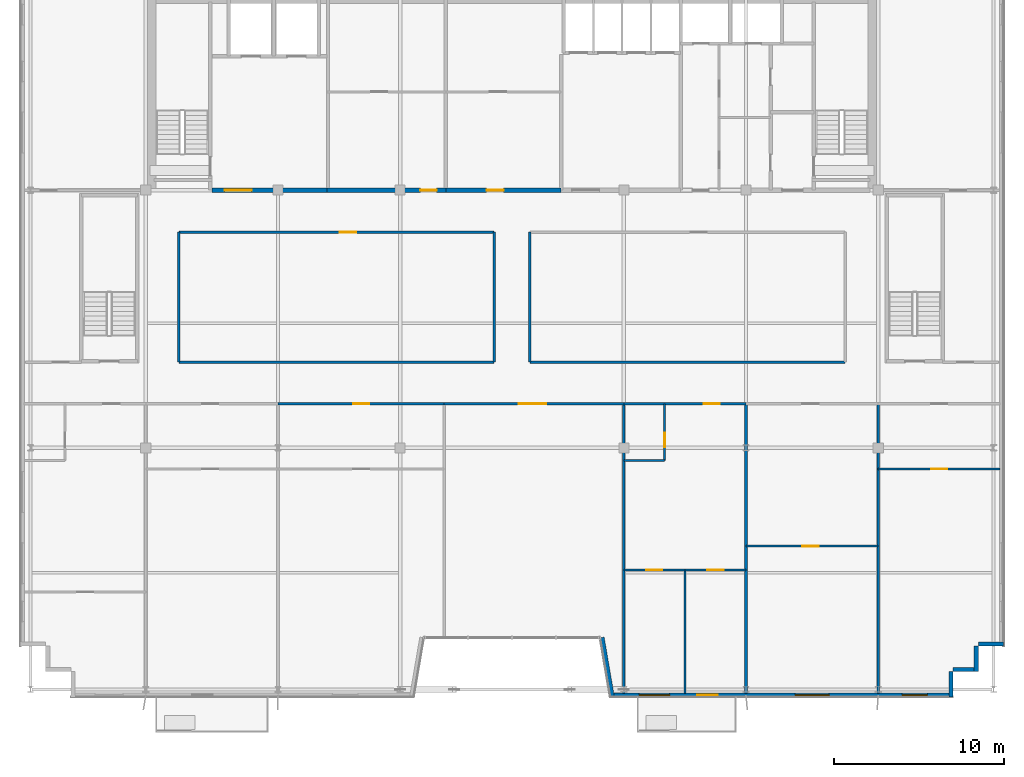
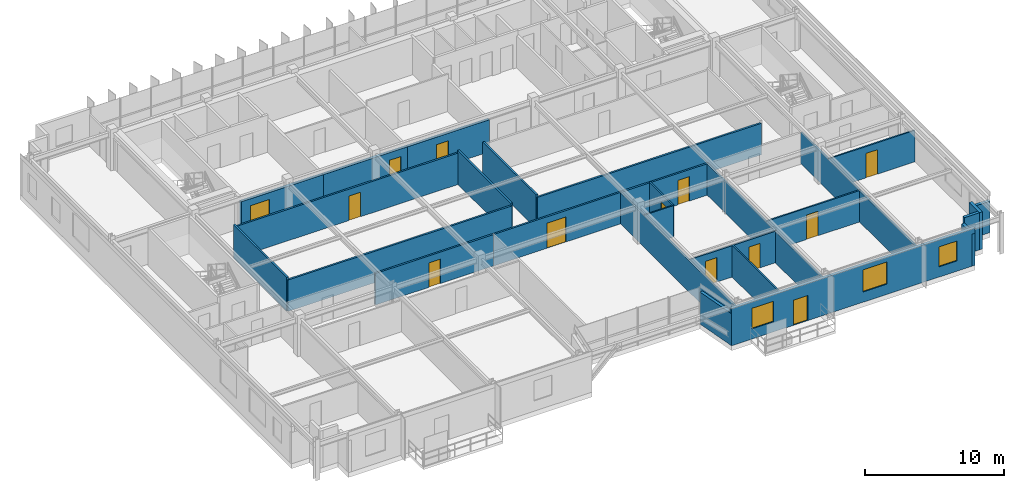
# One storey, part 22 of 28: 28 walls, 13 doors, 3 windows, 16 openings.
"""IFC4 building model written with IfcOpenShell, lengths in metres."""

from ifc_helpers import new_model, si_unit, direction, frame, frame_2d, origin, place, context, subcontext, project, spatial, rectangle, extrude, source, transform, mapped, material, layer, layer_set, type_object, element, fill, save


model = new_model("IFC4")

# Units and contexts
model_context = context("Model", 3, precision=1e-05, world=origin(), true_north=direction((0.0, 1.0)))
body_context = subcontext(model_context, "Body", "Model", "MODEL_VIEW")
ifc_project = project(units=[si_unit("LENGTHUNIT", "METRE"), si_unit("AREAUNIT", "SQUARE_METRE"), si_unit("VOLUMEUNIT", "CUBIC_METRE"), si_unit("PLANEANGLEUNIT", "RADIAN"), si_unit("MASSUNIT", "GRAM", prefix="KILO")], contexts=[model_context])

# Site, building, storey
site_placement = place(None, origin())
site = spatial("IfcSite", under=ifc_project, at=site_placement, CompositionType="ELEMENT")
building_placement = place(site_placement, origin())
building = spatial("IfcBuilding", under=site, at=building_placement, Name="Trelvane Seafront Commons", CompositionType="ELEMENT")
storey_placement = place(building_placement, frame((0.0, 0.0, 295.5)))
storey = spatial("IfcBuildingStorey", under=building, at=storey_placement, Name="L77", CompositionType="ELEMENT", Elevation=295.5)

# Walls
ifc_material_1 = material(Name="Precast concrete C40/50", Category="concrete")
ifc_layer_1 = layer(ifc_material_1, 0.239990234375, Name="ARCH-WALL-EXT240")
ifc_layer_set_1 = layer_set([ifc_layer_1], Name="Precast concrete C40/50")
wall_type_1 = type_object("IfcWallType", Name="ARCH-WALL-EXT240", PredefinedType="SOLIDWALL", material=ifc_layer_set_1)
wall_1_placement = place(storey_placement, frame((66.199951171875, 6.6201171875, 0.0), z_axis=(0.0, 0.0, 1.0), x_axis=(-1.0, 0.0, 0.0)))
element("IfcWall", 1, at=wall_1_placement, inside=storey, type_object=wall_type_1, Name="EW-L77-01572", PredefinedType="SOLIDWALL", context=body_context, shape_type="SweptSolid", body=[
    extrude(rectangle(XDim=1.5, YDim=0.239990234375, at=frame_2d((0.75, 0.0))), origin(), (0.0, 0.0, 1.0), 2.760009765625),
])
for number, where, z_axis, x_axis, name in (
    (2, (64.580078125, 6.5, 0.0), (0.0, 0.0, 1.0), (0.0, -1.0, 0.0), "EW-L77-01573"),
    (3, (64.699951171875, 5.1201171875, 0.0), (0.0, 0.0, 1.0), (-1.0, 0.0, 0.0), "EW-L77-01574"),
):
    element("IfcWall", number, at=place(storey_placement, frame(where, z_axis=z_axis, x_axis=x_axis)), inside=storey, type_object=wall_type_1, Name=name, PredefinedType="SOLIDWALL", context=body_context, shape_type="SweptSolid", body=[
        extrude(rectangle(XDim=1.5, YDim=0.239990234375, at=frame_2d((0.75, 0.0))), origin(), (0.0, 0.0, 1.0), 3.260009765625),
    ])
wall_2_placement = place(storey_placement, frame((63.080078125, 5.0, 0.0), z_axis=(0.0, 0.0, 1.0), x_axis=(0.0, -1.0, 0.0)))
element("IfcWall", 4, at=wall_2_placement, inside=storey, type_object=wall_type_1, Name="EW-L77-01575", PredefinedType="SOLIDWALL", context=body_context, shape_type="SweptSolid", body=[
    extrude(rectangle(XDim=1.5, YDim=0.239990234375, at=frame_2d((0.75, 0.0))), origin(), (0.0, 0.0, 1.0), 2.81005859375),
])

# Wall, openings, door, windows
wall_3_placement = place(storey_placement, frame((63.199951171875, 3.6201171875, 0.0), z_axis=(0.0, 0.0, 1.0), x_axis=(-1.0, 0.0, 0.0)))
wall_3 = element("IfcWall", 5, at=wall_3_placement, inside=storey, type_object=wall_type_1, Name="EW-L77-01576", PredefinedType="SOLIDWALL", context=body_context, shape_type="SweptSolid", body=[
    extrude(rectangle(XDim=20.199951171875, YDim=0.239990234375, at=frame_2d((10.10009765625, 0.0))), origin(), (0.0, 0.0, 1.0), 3.260009765625),
])
opening_1_placement = place(wall_3_placement, frame((1.4951171875, 0.0, 0.89990234375)))
opening_1 = element("IfcOpeningElement", 6, at=opening_1_placement, cuts=wall_3, Name="Opening W03", PredefinedType="OPENING", context=body_context, shape_type="SweptSolid", body=[
    extrude(rectangle(XDim=1.5, YDim=1.75, at=frame_2d((0.75, 0.875))), frame((0.0, 0.1298828125, 0.0), z_axis=(0.0, -1.0, 0.0), x_axis=(1.0, 0.0, 0.0)), (0.0, 0.0, 1.0), 0.260009765625),
])
opening_2_placement = place(wall_3_placement, frame((7.300048828125, 0.0, 0.89990234375)))
opening_2 = element("IfcOpeningElement", 7, at=opening_2_placement, cuts=wall_3, Name="Opening W06", PredefinedType="OPENING", context=body_context, shape_type="SweptSolid", body=[
    extrude(rectangle(XDim=2.0, YDim=1.949951171875, at=frame_2d((1.0, 0.97509765625))), frame((0.0, 0.1298828125, 0.0), z_axis=(0.0, -1.0, 0.0), x_axis=(1.0, 0.0, 0.0)), (0.0, 0.0, 1.0), 0.260009765625),
])
opening_3_placement = place(wall_3_placement, frame((13.864013671875, 0.0, 0.0)))
opening_3 = element("IfcOpeningElement", 8, at=opening_3_placement, cuts=wall_3, Name="Opening BD-L77-157", PredefinedType="OPENING", context=body_context, shape_type="SweptSolid", body=[
    extrude(rectangle(XDim=1.199951171875, YDim=2.199951171875, at=frame_2d((0.60009765625, 1.10009765625))), frame((0.0, 0.1298828125, 0.0), z_axis=(0.0, -1.0, 0.0), x_axis=(1.0, 0.0, 0.0)), (0.0, 0.0, 1.0), 0.260009765625),
])
opening_4_placement = place(wall_3_placement, frame((16.699951171875, 0.0, 0.89990234375)))
opening_4 = element("IfcOpeningElement", 9, at=opening_4_placement, cuts=wall_3, Name="Opening W01", PredefinedType="OPENING", context=body_context, shape_type="SweptSolid", body=[
    extrude(rectangle(XDim=1.800048828125, YDim=1.800048828125, at=frame_2d((0.89990234375, 0.89990234375))), frame((0.0, 0.1298828125, 0.0), z_axis=(0.0, -1.0, 0.0), x_axis=(1.0, 0.0, 0.0)), (0.0, 0.0, 1.0), 0.260009765625),
])
ifc_material_2 = material(Name="Powder-coated aluminium frame", Category="aluminium")
door_type_1 = type_object("IfcDoorType", Name="ARCH-DR-BAL1200", OperationType="NOTDEFINED", PredefinedType="DOOR", material=ifc_material_2)
shared_shape_1 = source(origin(), body_context, "Body", "SweptSolid", [
    extrude(rectangle(XDim=1.199951171875, YDim=2.199951171875, at=frame_2d((0.60009765625, 1.10009765625))), frame((0.0, 0.02490234375, 0.0), z_axis=(0.0, -1.0, 0.0), x_axis=(1.0, 0.0, 0.0)), (0.0, 0.0, 1.0), 0.050048828125),
])
door_1_placement = place(opening_3_placement, origin())
door_1 = element("IfcDoor", 10, at=door_1_placement, inside=storey, type_object=door_type_1, Name="L77 Balcony Terrace Access Door", OperationType="SINGLE_SWING_LEFT", OverallHeight=2.199951171875, OverallWidth=1.199951171875, PredefinedType="DOOR", context=body_context, shape_type="MappedRepresentation", body=[
    mapped(shared_shape_1, transform((0.0, 0.0, 0.0), x_axis=(1.0, 0.0, 0.0), y_axis=(0.0, 1.0, 0.0), z_axis=(0.0, 0.0, 1.0), scale=1.0)),
])
fill(opening_3, door_1)
ifc_material_3 = material(Name="Low-E coastal double glazing", Category="glass")
window_type_1 = type_object("IfcWindowType", Name="ARCH-WIN-W03", PartitioningType="SINGLE_PANEL", PredefinedType="WINDOW", material=ifc_material_3)
shared_shape_2 = source(origin(), body_context, "Body", "SweptSolid", [
    extrude(rectangle(XDim=1.5, YDim=1.75, at=frame_2d((0.75, 0.875))), frame((0.0, 0.030029296875, 0.0), z_axis=(0.0, -1.0, 0.0), x_axis=(1.0, 0.0, 0.0)), (0.0, 0.0, 1.0), 0.06005859375),
])
window_1_placement = place(opening_1_placement, origin())
window_1 = element("IfcWindow", 11, at=window_1_placement, inside=storey, type_object=window_type_1, Name="WIN-L77-01851", OverallHeight=1.75, OverallWidth=1.5, PartitioningType="SINGLE_PANEL", PredefinedType="WINDOW", context=body_context, shape_type="MappedRepresentation", body=[
    mapped(shared_shape_2, transform((0.0, 0.0, 0.0), x_axis=(1.0, 0.0, 0.0), y_axis=(0.0, 1.0, 0.0), z_axis=(0.0, 0.0, 1.0), scale=1.0)),
])
fill(opening_1, window_1)
window_type_2 = type_object("IfcWindowType", Name="ARCH-WIN-W06", PartitioningType="SINGLE_PANEL", PredefinedType="WINDOW", material=ifc_material_3)
shared_shape_3 = source(origin(), body_context, "Body", "SweptSolid", [
    extrude(rectangle(XDim=2.0, YDim=1.949951171875, at=frame_2d((1.0, 0.97509765625))), frame((0.0, 0.030029296875, 0.0), z_axis=(0.0, -1.0, 0.0), x_axis=(1.0, 0.0, 0.0)), (0.0, 0.0, 1.0), 0.06005859375),
])
window_2_placement = place(opening_2_placement, origin())
window_2 = element("IfcWindow", 12, at=window_2_placement, inside=storey, type_object=window_type_2, Name="WIN-L77-01852", OverallHeight=1.949951171875, OverallWidth=2.0, PartitioningType="SINGLE_PANEL", PredefinedType="WINDOW", context=body_context, shape_type="MappedRepresentation", body=[
    mapped(shared_shape_3, transform((0.0, 0.0, 0.0), x_axis=(1.0, 0.0, 0.0), y_axis=(0.0, 1.0, 0.0), z_axis=(0.0, 0.0, 1.0), scale=1.0)),
])
fill(opening_2, window_2)
window_type_3 = type_object("IfcWindowType", Name="ARCH-WIN-W01", PartitioningType="SINGLE_PANEL", PredefinedType="WINDOW", material=ifc_material_3)
shared_shape_4 = source(origin(), body_context, "Body", "SweptSolid", [
    extrude(rectangle(XDim=1.800048828125, YDim=1.800048828125, at=frame_2d((0.89990234375, 0.89990234375))), frame((0.0, 0.030029296875, 0.0), z_axis=(0.0, -1.0, 0.0), x_axis=(1.0, 0.0, 0.0)), (0.0, 0.0, 1.0), 0.06005859375),
])
window_3_placement = place(opening_4_placement, origin())
window_3 = element("IfcWindow", 13, at=window_3_placement, inside=storey, type_object=window_type_3, Name="WIN-L77-01853", OverallHeight=1.800048828125, OverallWidth=1.800048828125, PartitioningType="SINGLE_PANEL", PredefinedType="WINDOW", context=body_context, shape_type="MappedRepresentation", body=[
    mapped(shared_shape_4, transform((0.0, 0.0, 0.0), x_axis=(1.0, 0.0, 0.0), y_axis=(0.0, 1.0, 0.0), z_axis=(0.0, 0.0, 1.0), scale=1.0)),
])
fill(opening_4, window_3)

# Wall
wall_4_placement = place(storey_placement, frame((43.118408203125, 3.520263671875, 0.0), z_axis=(0.0, 0.0, 1.0), x_axis=(-0.168990530437, 0.98561767467, 0.0)))
element("IfcWall", 14, at=wall_4_placement, inside=storey, type_object=wall_type_1, Name="EW-L77-01577", PredefinedType="SOLIDWALL", context=body_context, shape_type="SweptSolid", body=[
    extrude(rectangle(XDim=3.551025390625, YDim=0.239990234375, at=frame_2d((1.775390625, 0.0))), origin(), (0.0, 0.0, 1.0), 2.81005859375),
])

# Wall, opening, door
ifc_material_4 = material(Name="Concrete C40/50", Category="concrete")
ifc_layer_2 = layer(ifc_material_4, 0.25, Name="ARCH-WALL-FIRE250")
ifc_layer_set_2 = layer_set([ifc_layer_2], Name="Concrete C40/50")
wall_type_2 = type_object("IfcWallType", Name="ARCH-WALL-FIRE250", PredefinedType="PARTITIONING", material=ifc_layer_set_2)
wall_5_placement = place(storey_placement, frame((19.5, 33.39990234375, 0.0), z_axis=(0.0, 0.0, 1.0), x_axis=(1.0, 0.0, 0.0)))
wall_5 = element("IfcWall", 15, at=wall_5_placement, inside=storey, type_object=wall_type_2, Name="W-L77-CS-FFL-021", PredefinedType="PARTITIONING", context=body_context, shape_type="SweptSolid", body=[
    extrude(rectangle(XDim=6.800048828125, YDim=0.25, at=frame_2d((3.39990234375, 0.0))), origin(), (0.0, 0.0, 1.0), 2.81005859375),
])
opening_5_placement = place(wall_5_placement, frame((0.75, 0.0, 0.0)))
opening_5 = element("IfcOpeningElement", 16, at=opening_5_placement, cuts=wall_5, Name="Opening FD-L77-07", PredefinedType="OPENING", context=body_context, shape_type="SweptSolid", body=[
    extrude(rectangle(XDim=1.60009765625, YDim=2.199951171875, at=frame_2d((0.800048828125, 1.10009765625))), frame((0.0, 0.135009765625, 0.0), z_axis=(0.0, -1.0, 0.0), x_axis=(1.0, 0.0, 0.0)), (0.0, 0.0, 1.0), 0.27001953125),
])
door_type_2 = type_object("IfcDoorType", Name="ARCH-DR-FD60-1600", OperationType="DOUBLE_DOOR_SINGLE_SWING", PredefinedType="DOOR", material=ifc_material_2)
shared_shape_5 = source(origin(), body_context, "Body", "SweptSolid", [
    extrude(rectangle(XDim=1.60009765625, YDim=2.199951171875, at=frame_2d((0.800048828125, 1.10009765625))), frame((0.0, 0.02490234375, 0.0), z_axis=(0.0, -1.0, 0.0), x_axis=(1.0, 0.0, 0.0)), (0.0, 0.0, 1.0), 0.050048828125),
])
door_2_placement = place(opening_5_placement, origin())
door_2 = element("IfcDoor", 17, at=door_2_placement, inside=storey, type_object=door_type_2, Name="L77 Firefighting Lift Lobby Double Fire Door", OperationType="DOUBLE_DOOR_SINGLE_SWING", OverallHeight=2.199951171875, OverallWidth=1.60009765625, PredefinedType="DOOR", context=body_context, shape_type="MappedRepresentation", body=[
    mapped(shared_shape_5, transform((0.0, 0.0, 0.0), x_axis=(1.0, 0.0, 0.0), y_axis=(0.0, 1.0, 0.0), z_axis=(0.0, 0.0, 1.0), scale=1.0)),
])
fill(opening_5, door_2)

wall_6_placement = place(storey_placement, frame((26.300048828125, 33.39990234375, 0.0), z_axis=(0.0, 0.0, 1.0), x_axis=(1.0, 0.0, 0.0)))
wall_6 = element("IfcWall", 18, at=wall_6_placement, inside=storey, type_object=wall_type_2, Name="W-L77-CS-FPL-032", PredefinedType="PARTITIONING", context=body_context, shape_type="SweptSolid", body=[
    extrude(rectangle(XDim=7.0, YDim=0.25, at=frame_2d((3.5, 0.0))), origin(), (0.0, 0.0, 1.0), 2.81005859375),
])
opening_6_placement = place(wall_6_placement, frame((5.5, 0.0, 0.0)))
opening_6 = element("IfcOpeningElement", 19, at=opening_6_placement, cuts=wall_6, Name="Opening D-L77-14", PredefinedType="OPENING", context=body_context, shape_type="SweptSolid", body=[
    extrude(rectangle(XDim=0.949951171875, YDim=2.14990234375, at=frame_2d((0.47509765625, 1.074951171875))), frame((0.0, 0.135009765625, 0.0), z_axis=(0.0, -1.0, 0.0), x_axis=(1.0, 0.0, 0.0)), (0.0, 0.0, 1.0), 0.27001953125),
])
ifc_material_5 = material(Name="Acoustic timber door leaf", Category="wood")
door_type_3 = type_object("IfcDoorType", Name="ARCH-DR-INT950", OperationType="NOTDEFINED", PredefinedType="DOOR", material=ifc_material_5)
shared_shape_6 = source(origin(), body_context, "Body", "SweptSolid", [
    extrude(rectangle(XDim=0.949951171875, YDim=2.14990234375, at=frame_2d((0.47509765625, 1.074951171875))), frame((0.0, 0.02490234375, 0.0), z_axis=(0.0, -1.0, 0.0), x_axis=(1.0, 0.0, 0.0)), (0.0, 0.0, 1.0), 0.050048828125),
])
door_3_placement = place(opening_6_placement, origin())
door_3 = element("IfcDoor", 20, at=door_3_placement, inside=storey, type_object=door_type_3, Name="L77 Floor Pantry Entrance Door", OperationType="SINGLE_SWING_RIGHT", OverallHeight=2.14990234375, OverallWidth=0.949951171875, PredefinedType="DOOR", context=body_context, shape_type="MappedRepresentation", body=[
    mapped(shared_shape_6, transform((0.0, 0.0, 0.0), x_axis=(1.0, 0.0, 0.0), y_axis=(0.0, 1.0, 0.0), z_axis=(0.0, 0.0, 1.0), scale=1.0)),
])
fill(opening_6, door_3)

wall_7_placement = place(storey_placement, frame((33.300048828125, 33.39990234375, 0.0), z_axis=(0.0, 0.0, 1.0), x_axis=(1.0, 0.0, 0.0)))
wall_7 = element("IfcWall", 21, at=wall_7_placement, inside=storey, type_object=wall_type_2, Name="W-L77-CS-FPM-033", PredefinedType="PARTITIONING", context=body_context, shape_type="SweptSolid", body=[
    extrude(rectangle(XDim=6.800048828125, YDim=0.25, at=frame_2d((3.39990234375, 0.0))), origin(), (0.0, 0.0, 1.0), 2.81005859375),
])
opening_7_placement = place(wall_7_placement, frame((2.39990234375, 0.0, 0.0)))
opening_7 = element("IfcOpeningElement", 22, at=opening_7_placement, cuts=wall_7, Name="Opening FD-L77-15", PredefinedType="OPENING", context=body_context, shape_type="SweptSolid", body=[
    extrude(rectangle(XDim=1.0, YDim=2.14990234375, at=frame_2d((0.5, 1.074951171875))), frame((0.0, 0.135009765625, 0.0), z_axis=(0.0, -1.0, 0.0), x_axis=(1.0, 0.0, 0.0)), (0.0, 0.0, 1.0), 0.27001953125),
])
door_type_4 = type_object("IfcDoorType", Name="ARCH-DR-FD60-1000", OperationType="NOTDEFINED", PredefinedType="DOOR", material=ifc_material_2)
shared_shape_7 = source(origin(), body_context, "Body", "SweptSolid", [
    extrude(rectangle(XDim=1.0, YDim=2.14990234375, at=frame_2d((0.5, 1.074951171875))), frame((0.0, 0.02490234375, 0.0), z_axis=(0.0, -1.0, 0.0), x_axis=(1.0, 0.0, 0.0)), (0.0, 0.0, 1.0), 0.050048828125),
])
door_4_placement = place(opening_7_placement, origin())
door_4 = element("IfcDoor", 23, at=door_4_placement, inside=storey, type_object=door_type_4, Name="L77 Trunk Storage Door", OperationType="SINGLE_SWING_LEFT", OverallHeight=2.14990234375, OverallWidth=1.0, PredefinedType="DOOR", context=body_context, shape_type="MappedRepresentation", body=[
    mapped(shared_shape_7, transform((0.0, 0.0, 0.0), x_axis=(1.0, 0.0, 0.0), y_axis=(0.0, 1.0, 0.0), z_axis=(0.0, 0.0, 1.0), scale=1.0)),
])
fill(opening_7, door_4)

ifc_material_6 = material(Name="Gypsum Drywall Acoustic Partition")
ifc_layer_3 = layer(ifc_material_6, 0.1201171875, Name="ARCH-WALL-PART120")
ifc_layer_set_3 = layer_set([ifc_layer_3], Name="Gypsum Drywall Acoustic Partition")
wall_type_3 = type_object("IfcWallType", Name="ARCH-WALL-PART120", PredefinedType="PARTITIONING", material=ifc_layer_set_3)
wall_8_placement = place(storey_placement, frame((46.199951171875, 17.449951171875, 0.0), z_axis=(0.0, 0.0, 1.0), x_axis=(0.0, 1.0, 0.0)))
wall_8 = element("IfcWall", 24, at=wall_8_placement, inside=storey, type_object=wall_type_3, Name="W-L77-U5-BE-073", PredefinedType="PARTITIONING", context=body_context, shape_type="SweptSolid", body=[
    extrude(rectangle(XDim=3.35009765625, YDim=0.1201171875, at=frame_2d((1.675048828125, 0.0))), origin(), (0.0, 0.0, 1.0), 2.81005859375),
])
opening_8_placement = place(wall_8_placement, frame((0.800048828125, 0.0, 0.0)))
opening_8 = element("IfcOpeningElement", 25, at=opening_8_placement, cuts=wall_8, Name="Opening D-L77-42", PredefinedType="OPENING", context=body_context, shape_type="SweptSolid", body=[
    extrude(rectangle(XDim=0.85009765625, YDim=2.10009765625, at=frame_2d((0.425048828125, 1.050048828125))), frame((0.0, 0.070068359375, 0.0), z_axis=(0.0, -1.0, 0.0), x_axis=(1.0, 0.0, 0.0)), (0.0, 0.0, 1.0), 0.14013671875),
])
door_type_5 = type_object("IfcDoorType", Name="ARCH-DR-INT850", OperationType="NOTDEFINED", PredefinedType="DOOR", material=ifc_material_5)
shared_shape_8 = source(origin(), body_context, "Body", "SweptSolid", [
    extrude(rectangle(XDim=0.85009765625, YDim=2.10009765625, at=frame_2d((0.425048828125, 1.050048828125))), frame((0.0, 0.02490234375, 0.0), z_axis=(0.0, -1.0, 0.0), x_axis=(1.0, 0.0, 0.0)), (0.0, 0.0, 1.0), 0.050048828125),
])
door_5_placement = place(opening_8_placement, origin())
door_5 = element("IfcDoor", 26, at=door_5_placement, inside=storey, type_object=door_type_5, Name="L77 Door 42", OperationType="SINGLE_SWING_RIGHT", OverallHeight=2.10009765625, OverallWidth=0.85009765625, PredefinedType="DOOR", context=body_context, shape_type="MappedRepresentation", body=[
    mapped(shared_shape_8, transform((0.0, 0.0, 0.0), x_axis=(1.0, 0.0, 0.0), y_axis=(0.0, 1.0, 0.0), z_axis=(0.0, 0.0, 1.0), scale=1.0)),
])
fill(opening_8, door_5)

# Wall
wall_9_placement = place(storey_placement, frame((43.800048828125, 17.449951171875, 0.0), z_axis=(0.0, 0.0, 1.0), x_axis=(1.0, 0.0, 0.0)))
element("IfcWall", 27, at=wall_9_placement, inside=storey, type_object=wall_type_3, Name="W-L77-U5-BS-074", PredefinedType="PARTITIONING", context=body_context, shape_type="SweptSolid", body=[
    extrude(rectangle(XDim=2.39990234375, YDim=0.1201171875, at=frame_2d((1.199951171875, 0.0))), origin(), (0.0, 0.0, 1.0), 2.760009765625),
])

# Wall, opening, door
wall_10_placement = place(storey_placement, frame((43.800048828125, 11.0, 0.0), z_axis=(0.0, 0.0, 1.0), x_axis=(1.0, 0.0, 0.0)))
wall_10 = element("IfcWall", 28, at=wall_10_placement, inside=storey, type_object=wall_type_3, Name="W-L77-U5-YM-1-076", PredefinedType="PARTITIONING", context=body_context, shape_type="SweptSolid", body=[
    extrude(rectangle(XDim=3.599853515625, YDim=0.1201171875, at=frame_2d((1.7998046875, 0.0))), origin(), (0.0, 0.0, 1.0), 2.760009765625),
])
opening_9_placement = place(wall_10_placement, frame((1.324951171875, 0.0, 0.0)))
opening_9 = element("IfcOpeningElement", 29, at=opening_9_placement, cuts=wall_10, Name="Opening D-L77-44", PredefinedType="OPENING", context=body_context, shape_type="SweptSolid", body=[
    extrude(rectangle(XDim=0.949951171875, YDim=2.14990234375, at=frame_2d((0.47509765625, 1.074951171875))), frame((0.0, 0.070068359375, 0.0), z_axis=(0.0, -1.0, 0.0), x_axis=(1.0, 0.0, 0.0)), (0.0, 0.0, 1.0), 0.14013671875),
])
door_6_placement = place(opening_9_placement, origin())
door_6 = element("IfcDoor", 30, at=door_6_placement, inside=storey, type_object=door_type_3, Name="L77 Door 44", OperationType="SINGLE_SWING_RIGHT", OverallHeight=2.14990234375, OverallWidth=0.949951171875, PredefinedType="DOOR", context=body_context, shape_type="MappedRepresentation", body=[
    mapped(shared_shape_6, transform((0.0, 0.0, 0.0), x_axis=(1.0, 0.0, 0.0), y_axis=(0.0, 1.0, 0.0), z_axis=(0.0, 0.0, 1.0), scale=1.0)),
])
fill(opening_9, door_6)

wall_11_placement = place(storey_placement, frame((47.39990234375, 11.0, 0.0), z_axis=(0.0, 0.0, 1.0), x_axis=(1.0, 0.0, 0.0)))
wall_11 = element("IfcWall", 31, at=wall_11_placement, inside=storey, type_object=wall_type_3, Name="W-L77-U5-YM-2-077", PredefinedType="PARTITIONING", context=body_context, shape_type="SweptSolid", body=[
    extrude(rectangle(XDim=3.60009765625, YDim=0.1201171875, at=frame_2d((1.800048828125, 0.0))), origin(), (0.0, 0.0, 1.0), 2.760009765625),
])
opening_10_placement = place(wall_11_placement, frame((1.324951171875, 0.0, 0.0)))
opening_10 = element("IfcOpeningElement", 32, at=opening_10_placement, cuts=wall_11, Name="Opening D-L77-45", PredefinedType="OPENING", context=body_context, shape_type="SweptSolid", body=[
    extrude(rectangle(XDim=0.949951171875, YDim=2.14990234375, at=frame_2d((0.47509765625, 1.074951171875))), frame((0.0, 0.070068359375, 0.0), z_axis=(0.0, -1.0, 0.0), x_axis=(1.0, 0.0, 0.0)), (0.0, 0.0, 1.0), 0.14013671875),
])
door_7_placement = place(opening_10_placement, origin())
door_7 = element("IfcDoor", 33, at=door_7_placement, inside=storey, type_object=door_type_3, Name="L77 Door 45", OperationType="SINGLE_SWING_LEFT", OverallHeight=2.14990234375, OverallWidth=0.949951171875, PredefinedType="DOOR", context=body_context, shape_type="MappedRepresentation", body=[
    mapped(shared_shape_6, transform((0.0, 0.0, 0.0), x_axis=(1.0, 0.0, 0.0), y_axis=(0.0, 1.0, 0.0), z_axis=(0.0, 0.0, 1.0), scale=1.0)),
])
fill(opening_10, door_7)

# Wall
wall_12_placement = place(storey_placement, frame((47.39990234375, 3.72509765625, 0.0), z_axis=(0.0, 0.0, 1.0), x_axis=(0.0, 1.0, 0.0)))
element("IfcWall", 34, at=wall_12_placement, inside=storey, type_object=wall_type_3, Name="W-L77-U5-BDV-1-078", PredefinedType="PARTITIONING", context=body_context, shape_type="SweptSolid", body=[
    extrude(rectangle(XDim=7.27490234375, YDim=0.1201171875, at=frame_2d((3.637451171875, 0.0))), origin(), (0.0, 0.0, 1.0), 2.81005859375),
])

# Wall, opening, door
wall_13_placement = place(storey_placement, frame((51.0, 12.39990234375, 0.0), z_axis=(0.0, 0.0, 1.0), x_axis=(1.0, 0.0, 0.0)))
wall_13 = element("IfcWall", 35, at=wall_13_placement, inside=storey, type_object=wall_type_3, Name="W-L77-U6-DIV-080", PredefinedType="PARTITIONING", context=body_context, shape_type="SweptSolid", body=[
    extrude(rectangle(XDim=7.800048828125, YDim=0.1201171875, at=frame_2d((3.89990234375, 0.0))), origin(), (0.0, 0.0, 1.0), 2.760009765625),
])
opening_11_placement = place(wall_13_placement, frame((3.3330078125, 0.0, 0.0)))
opening_11 = element("IfcOpeningElement", 36, at=opening_11_placement, cuts=wall_13, Name="Opening D-L77-47", PredefinedType="OPENING", context=body_context, shape_type="SweptSolid", body=[
    extrude(rectangle(XDim=0.949951171875, YDim=2.14990234375, at=frame_2d((0.47509765625, 1.074951171875))), frame((0.0, 0.070068359375, 0.0), z_axis=(0.0, -1.0, 0.0), x_axis=(1.0, 0.0, 0.0)), (0.0, 0.0, 1.0), 0.14013671875),
])
door_8_placement = place(opening_11_placement, origin())
door_8 = element("IfcDoor", 37, at=door_8_placement, inside=storey, type_object=door_type_3, Name="L77 Door 47", OperationType="SINGLE_SWING_LEFT", OverallHeight=2.14990234375, OverallWidth=0.949951171875, PredefinedType="DOOR", context=body_context, shape_type="MappedRepresentation", body=[
    mapped(shared_shape_6, transform((0.0, 0.0, 0.0), x_axis=(1.0, 0.0, 0.0), y_axis=(0.0, 1.0, 0.0), z_axis=(0.0, 0.0, 1.0), scale=1.0)),
])
fill(opening_11, door_8)

wall_14_placement = place(storey_placement, frame((58.800048828125, 16.949951171875, 0.0), z_axis=(0.0, 0.0, 1.0), x_axis=(1.0, 0.0, 0.0)))
wall_14 = element("IfcWall", 38, at=wall_14_placement, inside=storey, type_object=wall_type_3, Name="W-L77-U7-DIV-082", PredefinedType="PARTITIONING", context=body_context, shape_type="SweptSolid", body=[
    extrude(rectangle(XDim=7.175048828125, YDim=0.1201171875, at=frame_2d((3.58740234375, 0.0))), origin(), (0.0, 0.0, 1.0), 2.760009765625),
])
opening_12_placement = place(wall_14_placement, frame((3.112060546875, 0.0, 0.0)))
opening_12 = element("IfcOpeningElement", 39, at=opening_12_placement, cuts=wall_14, Name="Opening D-L77-49", PredefinedType="OPENING", context=body_context, shape_type="SweptSolid", body=[
    extrude(rectangle(XDim=0.949951171875, YDim=2.14990234375, at=frame_2d((0.47509765625, 1.074951171875))), frame((0.0, 0.070068359375, 0.0), z_axis=(0.0, -1.0, 0.0), x_axis=(1.0, 0.0, 0.0)), (0.0, 0.0, 1.0), 0.14013671875),
])
door_9_placement = place(opening_12_placement, origin())
door_9 = element("IfcDoor", 40, at=door_9_placement, inside=storey, type_object=door_type_3, Name="L77 Door 49", OperationType="SINGLE_SWING_LEFT", OverallHeight=2.14990234375, OverallWidth=0.949951171875, PredefinedType="DOOR", context=body_context, shape_type="MappedRepresentation", body=[
    mapped(shared_shape_6, transform((0.0, 0.0, 0.0), x_axis=(1.0, 0.0, 0.0), y_axis=(0.0, 1.0, 0.0), z_axis=(0.0, 0.0, 1.0), scale=1.0)),
])
fill(opening_12, door_9)

ifc_layer_4 = layer(ifc_material_6, 0.14990234375, Name="ARCH-WALL-PART150")
ifc_layer_set_4 = layer_set([ifc_layer_4], Name="Gypsum Drywall Acoustic Partition")
wall_type_4 = type_object("IfcWallType", Name="ARCH-WALL-PART150", PredefinedType="PARTITIONING", material=ifc_layer_set_4)
wall_15_placement = place(storey_placement, frame((17.550048828125, 30.919921875, 0.0), z_axis=(0.0, 0.0, 1.0), x_axis=(1.0, 0.0, 0.0)))
wall_15 = element("IfcWall", 41, at=wall_15_placement, inside=storey, type_object=wall_type_4, Name="W-L77-L77-MW-N-043", PredefinedType="PARTITIONING", context=body_context, shape_type="SweptSolid", body=[
    extrude(rectangle(XDim=18.599853515625, YDim=0.14990234375, at=frame_2d((9.2998046875, 0.0))), origin(), (0.0, 0.0, 1.0), 2.760009765625),
])
opening_13_placement = place(wall_15_placement, frame((9.5, 0.0, 0.0)))
opening_13 = element("IfcOpeningElement", 42, at=opening_13_placement, cuts=wall_15, Name="Opening D-L77-25", PredefinedType="OPENING", context=body_context, shape_type="SweptSolid", body=[
    extrude(rectangle(XDim=0.949951171875, YDim=2.14990234375, at=frame_2d((0.47509765625, 1.074951171875))), frame((0.0, 0.0849609375, 0.0), z_axis=(0.0, -1.0, 0.0), x_axis=(1.0, 0.0, 0.0)), (0.0, 0.0, 1.0), 0.169921875),
])
door_10_placement = place(opening_13_placement, origin())
door_10 = element("IfcDoor", 43, at=door_10_placement, inside=storey, type_object=door_type_3, Name="L77 Door 25", OperationType="SINGLE_SWING_LEFT", OverallHeight=2.14990234375, OverallWidth=0.949951171875, PredefinedType="DOOR", context=body_context, shape_type="MappedRepresentation", body=[
    mapped(shared_shape_6, transform((0.0, 0.0, 0.0), x_axis=(1.0, 0.0, 0.0), y_axis=(0.0, 1.0, 0.0), z_axis=(0.0, 0.0, 1.0), scale=1.0)),
])
fill(opening_13, door_10)

# Walls
wall_16_placement = place(storey_placement, frame((17.550048828125, 23.25, 0.0), z_axis=(0.0, 0.0, 1.0), x_axis=(1.0, 0.0, 0.0)))
element("IfcWall", 44, at=wall_16_placement, inside=storey, type_object=wall_type_4, Name="W-L77-L77-MW-S-044", PredefinedType="PARTITIONING", context=body_context, shape_type="SweptSolid", body=[
    extrude(rectangle(XDim=18.599853515625, YDim=0.14990234375, at=frame_2d((9.2998046875, 0.0))), origin(), (0.0, 0.0, 1.0), 2.760009765625),
])
for number, where, z_axis, x_axis, name in (
    (45, (17.550048828125, 23.25, 0.0), (0.0, 0.0, 1.0), (0.0, 1.0, 0.0), "W-L77-L77-MW-W-045"),
    (46, (36.14990234375, 23.25, 0.0), (0.0, 0.0, 1.0), (0.0, 1.0, 0.0), "W-L77-L77-MW-E-046"),
):
    element("IfcWall", number, at=place(storey_placement, frame(where, z_axis=z_axis, x_axis=x_axis)), inside=storey, type_object=wall_type_4, Name=name, PredefinedType="PARTITIONING", context=body_context, shape_type="SweptSolid", body=[
        extrude(rectangle(XDim=7.669921875, YDim=0.14990234375, at=frame_2d((3.8349609375, 0.0))), origin(), (0.0, 0.0, 1.0), 2.9599609375),
    ])
wall_17_placement = place(storey_placement, frame((38.25, 23.25, 0.0), z_axis=(0.0, 0.0, 1.0), x_axis=(1.0, 0.0, 0.0)))
element("IfcWall", 47, at=wall_17_placement, inside=storey, type_object=wall_type_4, Name="W-L77-L77-ME-S-048", PredefinedType="PARTITIONING", context=body_context, shape_type="SweptSolid", body=[
    extrude(rectangle(XDim=18.60009765625, YDim=0.14990234375, at=frame_2d((9.300048828125, 0.0))), origin(), (0.0, 0.0, 1.0), 2.760009765625),
])
wall_18_placement = place(storey_placement, frame((38.25, 23.25, 0.0), z_axis=(0.0, 0.0, 1.0), x_axis=(0.0, 1.0, 0.0)))
element("IfcWall", 48, at=wall_18_placement, inside=storey, type_object=wall_type_4, Name="W-L77-L77-ME-W-049", PredefinedType="PARTITIONING", context=body_context, shape_type="SweptSolid", body=[
    extrude(rectangle(XDim=7.669921875, YDim=0.14990234375, at=frame_2d((3.8349609375, 0.0))), origin(), (0.0, 0.0, 1.0), 2.9599609375),
])
for number, where, z_axis, x_axis, name in (
    (49, (43.800048828125, 3.72509765625, 0.0), (0.0, 0.0, 1.0), (0.0, 1.0, 0.0), "W-L77-PW-4-061"),
    (50, (51.0, 3.72509765625, 0.0), (0.0, 0.0, 1.0), (0.0, 1.0, 0.0), "W-L77-PW-5-062"),
    (51, (58.800048828125, 3.72509765625, 0.0), (0.0, 0.0, 1.0), (0.0, 1.0, 0.0), "W-L77-PW-6-063"),
):
    element("IfcWall", number, at=place(storey_placement, frame(where, z_axis=z_axis, x_axis=x_axis)), inside=storey, type_object=wall_type_4, Name=name, PredefinedType="PARTITIONING", context=body_context, shape_type="SweptSolid", body=[
        extrude(rectangle(XDim=17.074951171875, YDim=0.14990234375, at=frame_2d((8.53759765625, 0.0))), origin(), (0.0, 0.0, 1.0), 2.760009765625),
    ])

# Wall, opening, door
wall_19_placement = place(storey_placement, frame((23.39990234375, 20.800048828125, 0.0), z_axis=(0.0, 0.0, 1.0), x_axis=(1.0, 0.0, 0.0)))
wall_19 = element("IfcWall", 52, at=wall_19_placement, inside=storey, type_object=wall_type_4, Name="W-L77-CS-BAY-3-070", PredefinedType="PARTITIONING", context=body_context, shape_type="SweptSolid", body=[
    extrude(rectangle(XDim=9.800048828125, YDim=0.14990234375, at=frame_2d((4.89990234375, 0.0))), origin(), (0.0, 0.0, 1.0), 2.760009765625),
])
opening_14_placement = place(wall_19_placement, frame((4.425048828125, 0.0, 0.0)))
opening_14 = element("IfcOpeningElement", 53, at=opening_14_placement, cuts=wall_19, Name="Opening FD-L77-39", PredefinedType="OPENING", context=body_context, shape_type="SweptSolid", body=[
    extrude(rectangle(XDim=0.949951171875, YDim=2.14990234375, at=frame_2d((0.47509765625, 1.074951171875))), frame((0.0, 0.0849609375, 0.0), z_axis=(0.0, -1.0, 0.0), x_axis=(1.0, 0.0, 0.0)), (0.0, 0.0, 1.0), 0.169921875),
])
door_type_6 = type_object("IfcDoorType", Name="ARCH-DR-FD60-950", OperationType="NOTDEFINED", PredefinedType="DOOR", material=ifc_material_2)
door_11_placement = place(opening_14_placement, origin())
door_11 = element("IfcDoor", 54, at=door_11_placement, inside=storey, type_object=door_type_6, Name="L77 Bay 03 Entrance Door", OperationType="SINGLE_SWING_LEFT", OverallHeight=2.14990234375, OverallWidth=0.949951171875, PredefinedType="DOOR", context=body_context, shape_type="MappedRepresentation", body=[
    mapped(shared_shape_6, transform((0.0, 0.0, 0.0), x_axis=(1.0, 0.0, 0.0), y_axis=(0.0, 1.0, 0.0), z_axis=(0.0, 0.0, 1.0), scale=1.0)),
])
fill(opening_14, door_11)

wall_20_placement = place(storey_placement, frame((33.199951171875, 20.800048828125, 0.0), z_axis=(0.0, 0.0, 1.0), x_axis=(1.0, 0.0, 0.0)))
wall_20 = element("IfcWall", 55, at=wall_20_placement, inside=storey, type_object=wall_type_4, Name="W-L77-CS-BAY-4-072", PredefinedType="PARTITIONING", context=body_context, shape_type="SweptSolid", body=[
    extrude(rectangle(XDim=10.60009765625, YDim=0.14990234375, at=frame_2d((5.300048828125, 0.0))), origin(), (0.0, 0.0, 1.0), 2.760009765625),
])
opening_15_placement = place(wall_20_placement, frame((4.407958984375, 0.0, 0.0)))
opening_15 = element("IfcOpeningElement", 56, at=opening_15_placement, cuts=wall_20, Name="Opening D-L77-41", PredefinedType="OPENING", context=body_context, shape_type="SweptSolid", body=[
    extrude(rectangle(XDim=1.60009765625, YDim=2.199951171875, at=frame_2d((0.800048828125, 1.10009765625))), frame((0.0, 0.0849609375, 0.0), z_axis=(0.0, -1.0, 0.0), x_axis=(1.0, 0.0, 0.0)), (0.0, 0.0, 1.0), 0.169921875),
])
door_type_7 = type_object("IfcDoorType", Name="ARCH-DR-GLZ1600", OperationType="DOUBLE_DOOR_SINGLE_SWING", PredefinedType="DOOR", material=ifc_material_5)
door_12_placement = place(opening_15_placement, origin())
door_12 = element("IfcDoor", 57, at=door_12_placement, inside=storey, type_object=door_type_7, Name="L77 Commons Lounge 04 Door", OperationType="DOUBLE_DOOR_SINGLE_SWING", OverallHeight=2.199951171875, OverallWidth=1.60009765625, PredefinedType="DOOR", context=body_context, shape_type="MappedRepresentation", body=[
    mapped(shared_shape_5, transform((0.0, 0.0, 0.0), x_axis=(1.0, 0.0, 0.0), y_axis=(0.0, 1.0, 0.0), z_axis=(0.0, 0.0, 1.0), scale=1.0)),
])
fill(opening_15, door_12)

wall_21_placement = place(storey_placement, frame((43.800048828125, 20.800048828125, 0.0), z_axis=(0.0, 0.0, 1.0), x_axis=(1.0, 0.0, 0.0)))
wall_21 = element("IfcWall", 58, at=wall_21_placement, inside=storey, type_object=wall_type_4, Name="W-L77-CS-BAY-5-075", PredefinedType="PARTITIONING", context=body_context, shape_type="SweptSolid", body=[
    extrude(rectangle(XDim=7.199951171875, YDim=0.14990234375, at=frame_2d((3.60009765625, 0.0))), origin(), (0.0, 0.0, 1.0), 2.760009765625),
])
opening_16_placement = place(wall_21_placement, frame((4.7060546875, 0.0, 0.0)))
opening_16 = element("IfcOpeningElement", 59, at=opening_16_placement, cuts=wall_21, Name="Opening FD-L77-43", PredefinedType="OPENING", context=body_context, shape_type="SweptSolid", body=[
    extrude(rectangle(XDim=0.949951171875, YDim=2.14990234375, at=frame_2d((0.47509765625, 1.074951171875))), frame((0.0, 0.0849609375, 0.0), z_axis=(0.0, -1.0, 0.0), x_axis=(1.0, 0.0, 0.0)), (0.0, 0.0, 1.0), 0.169921875),
])
door_13_placement = place(opening_16_placement, origin())
door_13 = element("IfcDoor", 60, at=door_13_placement, inside=storey, type_object=door_type_6, Name="L77 Unit 05 Entrance Door", OperationType="SINGLE_SWING_LEFT", OverallHeight=2.14990234375, OverallWidth=0.949951171875, PredefinedType="DOOR", context=body_context, shape_type="MappedRepresentation", body=[
    mapped(shared_shape_6, transform((0.0, 0.0, 0.0), x_axis=(1.0, 0.0, 0.0), y_axis=(0.0, 1.0, 0.0), z_axis=(0.0, 0.0, 1.0), scale=1.0)),
])
fill(opening_16, door_13)

save(model, "model.ifc")
